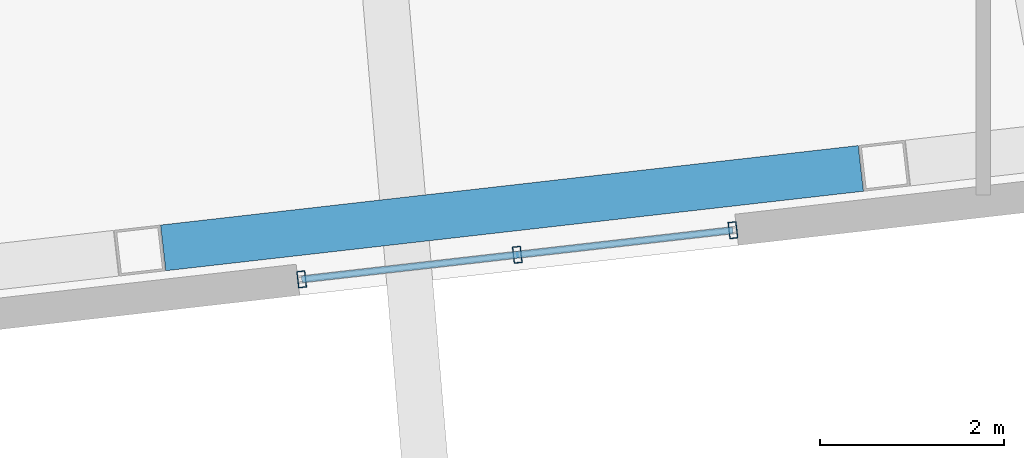
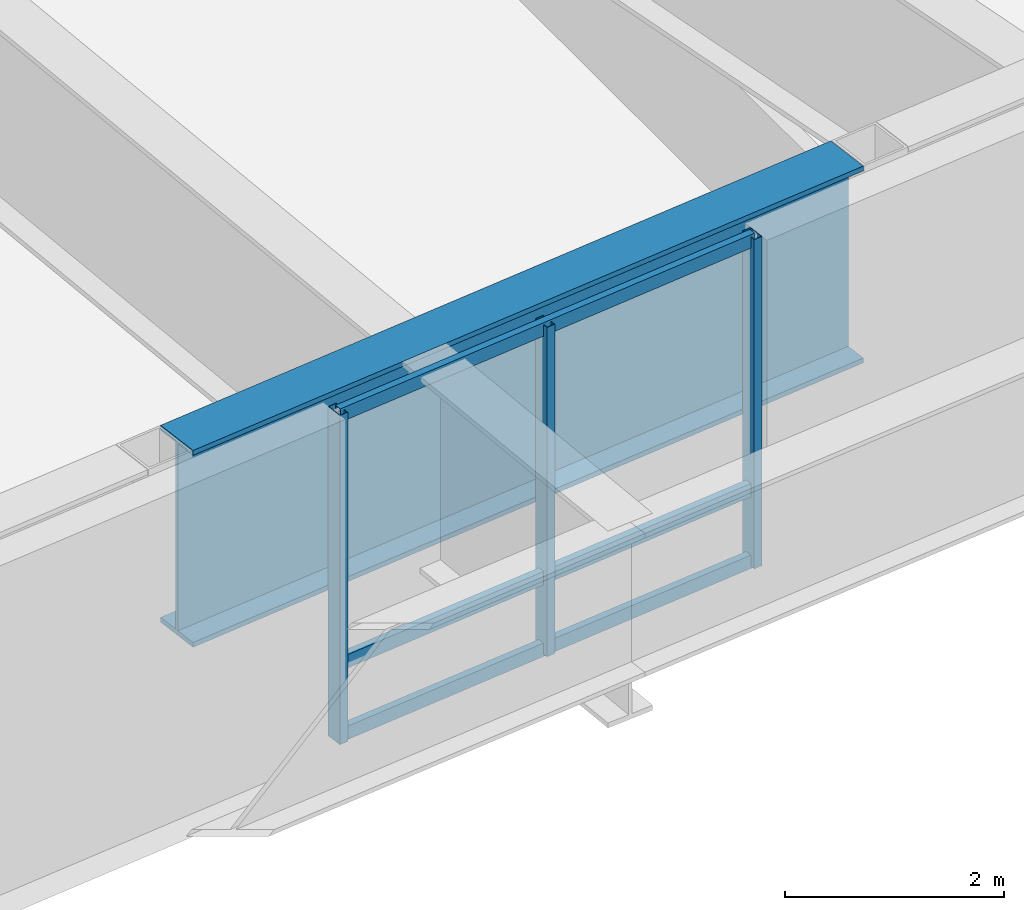
# One storey, part 4 of 18: 6 members, 1 beam, 1 element without a shape of its own.
"""IFC4 building model written with IfcOpenShell, lengths in metres."""

from ifc_helpers import new_model, si_unit, direction, frame, origin, origin_2d, place, context, subcontext, project, spatial, hollow_rectangle, i_section, extrude, material, layer, layer_set, material_profile, profile_set, type_object, element, aggregate, save


model = new_model("IFC4")

# Units and contexts
model_context = context("Model", 3, precision=1e-05, world=origin(), true_north=direction((0.0, 1.0)))
body_context = subcontext(model_context, "Body", "Model", "MODEL_VIEW")
ifc_project = project(units=[si_unit("LENGTHUNIT", "METRE"), si_unit("AREAUNIT", "SQUARE_METRE"), si_unit("VOLUMEUNIT", "CUBIC_METRE"), si_unit("PLANEANGLEUNIT", "RADIAN"), si_unit("MASSUNIT", "GRAM", prefix="KILO")], contexts=[model_context])

# Site, building, storey
site_placement = place(None, origin())
site = spatial("IfcSite", under=ifc_project, at=site_placement, CompositionType="ELEMENT")
building_placement = place(site_placement, origin())
building = spatial("IfcBuilding", under=site, at=building_placement, Name="Tavrogorsk Clinical Tower", CompositionType="ELEMENT")
storey_placement = place(building_placement, frame((0.0, 0.0, 267.0)))
storey = spatial("IfcBuildingStorey", under=building, at=storey_placement, Name="L62", CompositionType="ELEMENT", Elevation=267.0)

# Curtain wall, members
ifc_material_1 = material(Name="Anodised aluminium and triple IGU glazing", Category="aluminium")
ifc_layer = layer(ifc_material_1, 0.179931640625)
ifc_layer_set = layer_set([ifc_layer], Name="Anodised aluminium and triple IGU glazing")
curtain_wall_type = type_object("IfcCurtainWallType", Name="CW3_SouthSlot", PredefinedType="NOTDEFINED", material=ifc_layer_set)
curtain_wall_placement = place(storey_placement, origin())
curtain_wall = element("IfcCurtainWall", 1, at=curtain_wall_placement, inside=storey, type_object=curtain_wall_type, Name="L62 Curtain Wall CW-L62-S-SLOT-1", PredefinedType="NOTDEFINED")
ifc_material_2 = material(Name="Anodised aluminium alloy AW-6060", Category="aluminium")
ifc_material_profile_1 = material_profile(ifc_material_2, hollow_rectangle(XDim=0.090087890625, YDim=0.179931640625, WallThickness=0.00634765625, at=origin_2d()), Name="RHS-180x90x6.3")
ifc_profile_set_1 = profile_set([ifc_material_profile_1], Name="Anodised aluminium alloy AW-6060")
member_type_1 = type_object("IfcMemberType", Name="CwMullion_180x90", PredefinedType="MULLION", material=ifc_profile_set_1)
member_1_placement = place(storey_placement, frame((-10.21044921875, -21.270263671875, 0.0), z_axis=(0.0, 0.0, 1.0), x_axis=(0.993571855603, 0.11320321441, 0.0)))
member_1 = element("IfcMember", 2, at=member_1_placement, type_object=member_type_1, Name="CW-L62-S-SLOT-1 Mullion 1", PredefinedType="MULLION", context=body_context, shape_type="SweptSolid", body=[
    extrude(hollow_rectangle(XDim=0.090087890625, YDim=0.179931640625, WallThickness=0.00634765625, at=origin_2d()), origin(), (0.0, 0.0, 1.0), 3.679931640625),
])
member_2_placement = place(storey_placement, frame((-7.866455078125, -21.003173828125, 0.0), z_axis=(0.0, 0.0, 1.0), x_axis=(0.993571855603, 0.11320321441, 0.0)))
member_2 = element("IfcMember", 3, at=member_2_placement, type_object=member_type_1, Name="CW-L62-S-SLOT-1 Mullion 2", PredefinedType="MULLION", context=body_context, shape_type="SweptSolid", body=[
    extrude(hollow_rectangle(XDim=0.090087890625, YDim=0.179931640625, WallThickness=0.00634765625, at=origin_2d()), origin(), (0.0, 0.0, 1.0), 3.679931640625),
])
member_3_placement = place(storey_placement, frame((-5.522705078125, -20.736083984375, 0.0), z_axis=(0.0, 0.0, 1.0), x_axis=(0.993571855603, 0.11320321441, 0.0)))
member_3 = element("IfcMember", 4, at=member_3_placement, type_object=member_type_1, Name="CW-L62-S-SLOT-1 Mullion 3", PredefinedType="MULLION", context=body_context, shape_type="SweptSolid", body=[
    extrude(hollow_rectangle(XDim=0.090087890625, YDim=0.179931640625, WallThickness=0.00634765625, at=origin_2d()), origin(), (0.0, 0.0, 1.0), 3.679931640625),
])
ifc_material_3 = material(Name="Anodised aluminium alloy AW-6060", Category="aluminium")
ifc_material_profile_2 = material_profile(ifc_material_3, hollow_rectangle(XDim=0.074951171875, YDim=0.14990234375, WallThickness=0.0048828125, at=origin_2d()), Name="RHS-150x75x5")
ifc_profile_set_2 = profile_set([ifc_material_profile_2], Name="Anodised aluminium alloy AW-6060")
member_type_2 = type_object("IfcMemberType", Name="CwTransom_150x75", PredefinedType="USERDEFINED", material=ifc_profile_set_2)
member_4_placement = place(storey_placement, frame((-10.21044921875, -21.270263671875, 0.050048828125), z_axis=(0.993569979218, 0.113219682023, 0.0), x_axis=(-0.113219682023, 0.993569979218, 0.0)))
member_4 = element("IfcMember", 5, at=member_4_placement, type_object=member_type_2, Name="CW-L62-S-SLOT-1 Transom 1", ObjectType="TRANSOM", PredefinedType="USERDEFINED", context=body_context, shape_type="SweptSolid", body=[
    extrude(hollow_rectangle(XDim=0.074951171875, YDim=0.14990234375, WallThickness=0.0048828125, at=origin_2d()), origin(), (0.0, 0.0, 1.0), 4.718017578125),
])
member_5_placement = place(storey_placement, frame((-10.21044921875, -21.270263671875, 0.85009765625), z_axis=(0.993569979218, 0.113219682023, 0.0), x_axis=(-0.113219682023, 0.993569979218, 0.0)))
member_5 = element("IfcMember", 6, at=member_5_placement, type_object=member_type_2, Name="CW-L62-S-SLOT-1 Transom 2", ObjectType="TRANSOM", PredefinedType="USERDEFINED", context=body_context, shape_type="SweptSolid", body=[
    extrude(hollow_rectangle(XDim=0.074951171875, YDim=0.14990234375, WallThickness=0.0048828125, at=origin_2d()), origin(), (0.0, 0.0, 1.0), 4.718017578125),
])
member_6_placement = place(storey_placement, frame((-10.21044921875, -21.270263671875, 3.6298828125), z_axis=(0.993569979218, 0.113219682023, 0.0), x_axis=(-0.113219682023, 0.993569979218, 0.0)))
member_6 = element("IfcMember", 7, at=member_6_placement, type_object=member_type_2, Name="CW-L62-S-SLOT-1 Transom 3", ObjectType="TRANSOM", PredefinedType="USERDEFINED", context=body_context, shape_type="SweptSolid", body=[
    extrude(hollow_rectangle(XDim=0.074951171875, YDim=0.14990234375, WallThickness=0.0048828125, at=origin_2d()), origin(), (0.0, 0.0, 1.0), 4.718017578125),
])
aggregate(curtain_wall, [member_1, member_2, member_3, member_4, member_5, member_6])

# Beam
ifc_material_4 = material(Name="Structural steel S440", Category="steel")
ifc_material_profile_3 = material_profile(ifc_material_4, i_section(OverallWidth=0.5, OverallDepth=2.199951171875, WebThickness=0.035888671875, FlangeThickness=0.054931640625, at=origin_2d()), Name="DK-2200x500x36x55")
ifc_profile_set_3 = profile_set([ifc_material_profile_3], Name="Structural steel S440")
beam_type = type_object("IfcBeamType", Name="TransferGirder_DK2200", PredefinedType="USERDEFINED", material=ifc_profile_set_3)
beam_placement = place(storey_placement, frame((-11.716064453125, -20.928466796875, 2.580078125), z_axis=(0.993572509708, 0.113197473259, 0.0), x_axis=(-0.113197473259, 0.993572509708, 0.0)))
element("IfcBeam", 8, at=beam_placement, inside=storey, type_object=beam_type, Name="L62 Perimeter Spandrel S3-S4", ObjectType="GIRDER", PredefinedType="USERDEFINED", context=body_context, shape_type="SweptSolid", body=[
    extrude(i_section(OverallWidth=0.5, OverallDepth=2.199951171875, WebThickness=0.035888671875, FlangeThickness=0.054931640625, at=origin_2d()), origin(), (0.0, 0.0, 1.0), 7.6328125),
])

save(model, "model.ifc")
